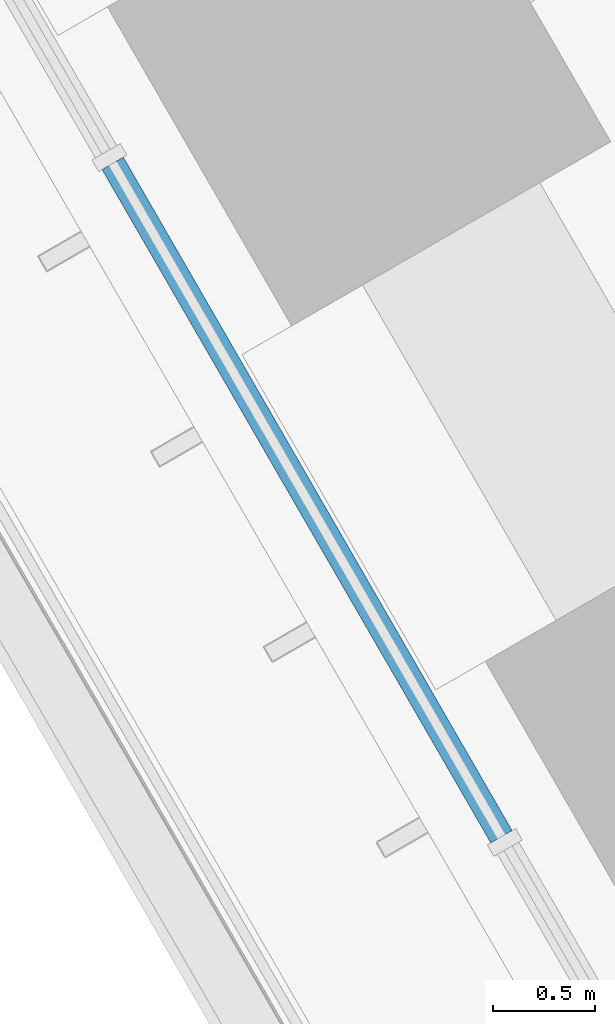
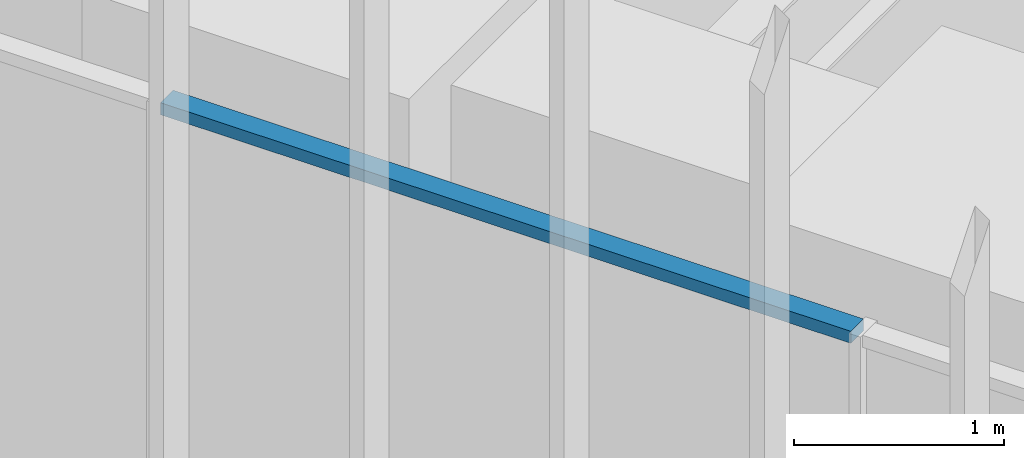
# One storey, part 52 of 228: 1 member, 1 element without a shape of its own.
"""IFC4 building model written with IfcOpenShell, lengths in metres."""

import ifcopenshell
import ifcopenshell.guid

model = None  # the IFC model being written
_history = None  # IfcOwnerHistory: only IFC2X3 demands one
_inside = {}  # id of a spatial element -> (the spatial element, [elements in it])
_under = {}  # id of a project, library or spatial element -> (it, [spatial elements below it])
_declared = {}  # id of a project -> (the project, [libraries it declares])
_typed = {}  # id of a type object -> (the type object, [elements of that type])
_made_of = {}  # id of a material, layer set ... -> (it, [elements and type objects made of it])


def new_model(schema):
    """Start an empty IFC model of exactly this schema.

    Asked for "IFC4X3", IfcOpenShell would pick the latest addendum, in which some entities
    have other attributes; the version numbers below select the first issue.
    IFC2X3 requires an IfcOwnerHistory on every rooted entity: one is made here for all.
    """
    global model, _history
    if schema == "IFC4X3":
        model = ifcopenshell.file(schema_version=(4, 3, 0, 0))
    else:
        model = ifcopenshell.file(schema=schema)
    _inside.clear()
    _under.clear()
    _declared.clear()
    _typed.clear()
    _made_of.clear()
    _history = None
    if model.schema == "IFC2X3":
        org = make("IfcOrganization", Name="unknown")
        user = make(
            "IfcPersonAndOrganization",
            ThePerson=make("IfcPerson", FamilyName="unknown"),
            TheOrganization=org,
        )
        app = make(
            "IfcApplication",
            ApplicationDeveloper=org,
            Version="unknown",
            ApplicationFullName="unknown",
            ApplicationIdentifier="unknown",
        )
        _history = make(
            "IfcOwnerHistory",
            OwningUser=user,
            OwningApplication=app,
            ChangeAction="ADDED",
            CreationDate=0,
        )
    return model


def make(cls, **values):
    """One entity of the class cls with the attributes given. An attribute that is None is left unset."""
    return model.create_entity(
        cls, **{name: value for name, value in values.items() if value is not None}
    )


def rooted(cls, **values):
    """An entity with a GlobalId (a new one), such as an element, a storey or a relation."""
    return make(cls, GlobalId=ifcopenshell.guid.new(), OwnerHistory=_history, **values)


def si_unit(unit_type, name, prefix=None):
    """IfcSIUnit, for example si_unit("LENGTHUNIT", "METRE", prefix="MILLI")."""
    return make("IfcSIUnit", UnitType=unit_type, Prefix=prefix, Name=name)


def assignment(units):
    """IfcUnitAssignment: the units of a project."""
    return None if units is None else make("IfcUnitAssignment", Units=units)


def point(xyz):
    """IfcCartesianPoint."""
    return None if xyz is None else make("IfcCartesianPoint", Coordinates=xyz)


def direction(xyz):
    """IfcDirection."""
    return None if xyz is None else make("IfcDirection", DirectionRatios=xyz)


def frame(location, z_axis=None, x_axis=None):
    """IfcAxis2Placement3D, a coordinate frame: its origin and axes. An axis left out is left unset."""
    return make(
        "IfcAxis2Placement3D",
        Location=point(location),
        Axis=direction(z_axis),
        RefDirection=direction(x_axis),
    )


def frame_2d(location, x_axis=None):
    """IfcAxis2Placement2D, a coordinate frame in the plane: its origin and x axis."""
    return make(
        "IfcAxis2Placement2D", Location=point(location), RefDirection=direction(x_axis)
    )


def origin():
    """The frame at (0, 0, 0) with its axes left unset."""
    return frame((0.0, 0.0, 0.0))


def origin_2d():
    """The frame at (0, 0) in the plane with its x axis left unset."""
    return frame_2d((0.0, 0.0))


def place(relative_to, where):
    """IfcLocalPlacement: puts the frame where relative to a parent placement (None: the world)."""
    return make(
        "IfcLocalPlacement", PlacementRelTo=relative_to, RelativePlacement=where
    )


def context(
    kind, dimensions, precision=None, world=None, true_north=None, identifier=None
):
    """IfcGeometricRepresentationContext, for example the 3D "Model" context."""
    return make(
        "IfcGeometricRepresentationContext",
        ContextIdentifier=identifier,
        ContextType=kind,
        CoordinateSpaceDimension=dimensions,
        Precision=precision,
        WorldCoordinateSystem=world,
        TrueNorth=true_north,
    )


def subcontext(parent, identifier, kind, view, scale=None):
    """IfcGeometricRepresentationSubContext, for example "Body" below "Model"."""
    return make(
        "IfcGeometricRepresentationSubContext",
        ContextIdentifier=identifier,
        ContextType=kind,
        ParentContext=parent,
        TargetScale=scale,
        TargetView=view,
    )


def project(units=None, contexts=None):
    """IfcProject with its units and contexts."""
    return rooted(
        "IfcProject",
        Name="project",
        RepresentationContexts=contexts,
        UnitsInContext=assignment(units),
    )


def spatial(cls, under=None, at=None, **own):
    """A site, building, storey or space (cls), placed at a placement, below another one or the project."""
    s = rooted(cls, ObjectPlacement=at, **own)
    if under is not None:
        _under.setdefault(under.id(), (under, []))[1].append(s)
    return s


def profile(cls, at=None, kind="AREA", **sizes):
    """A parametric profile (cls). Its sizes go by their IFC names, for example OverallWidth=200.0."""
    return make(cls, ProfileType=kind, Position=at, **sizes)


def rectangle(**sizes):
    """IfcRectangleProfileDef."""
    return profile("IfcRectangleProfileDef", **sizes)


def extrude(swept, where, along, depth):
    """IfcExtrudedAreaSolid: the profile swept, set in the frame where, extruded along a direction by depth."""
    return make(
        "IfcExtrudedAreaSolid",
        SweptArea=swept,
        Position=where,
        ExtrudedDirection=direction(along),
        Depth=depth,
    )


def shape(context_of_items, identifier, shape_type, items):
    """IfcShapeRepresentation: the items that make up one representation, for example the "Body"."""
    return make(
        "IfcShapeRepresentation",
        ContextOfItems=context_of_items,
        RepresentationIdentifier=identifier,
        RepresentationType=shape_type,
        Items=items,
    )


def material(Name=None, Category=None):
    """IfcMaterial."""
    return make("IfcMaterial", Name=Name, Category=Category)


def material_profile(
    of_material, cross_section, Name=None, Category=None, Priority=None
):
    """IfcMaterialProfile: a cross section and its material."""
    return make(
        "IfcMaterialProfile",
        Name=Name,
        Material=of_material,
        Profile=cross_section,
        Priority=Priority,
        Category=Category,
    )


def profile_set(profiles, Name=None, composite=None):
    """IfcMaterialProfileSet."""
    return make(
        "IfcMaterialProfileSet",
        Name=Name,
        MaterialProfiles=profiles,
        CompositeProfile=composite,
    )


def made_of(thing, what):
    """Note that an element or type object is made of a material, layer set ...; save() writes the relation."""
    if what is not None:
        _made_of.setdefault(what.id(), (what, []))[1].append(thing)
    return thing


def type_object(cls, material=None, **own):
    """A type object (cls), such as IfcWallType, which elements share."""
    return made_of(rooted(cls, **own), material)


def element(
    cls,
    number,
    at=None,
    inside=None,
    cuts=None,
    type_object=None,
    material=None,
    context=None,
    identifier="Body",
    shape_type=None,
    held_by="IfcProductDefinitionShape",
    body=None,
    shapes=None,
    **own,
):
    """One element of the class cls, such as IfcWall. Its Tag is "e" and its number.

    at: its placement. inside: the storey or other place that contains it. cuts: it is an
    opening in that element (IfcRelVoidsElement). A single representation is given by context,
    identifier, shape_type and body (its items); several are given by shapes. held_by: the class
    of the entity that holds the representations. save() writes the other relations.
    """
    e = rooted(cls, Tag="e%d" % number, ObjectPlacement=at, **own)
    if body is not None:
        shapes = [shape(context, identifier, shape_type, body)]
    if shapes is not None:
        e.Representation = make(held_by, Representations=shapes)
    if inside is not None:
        _inside.setdefault(inside.id(), (inside, []))[1].append(e)
    if cuts is not None:
        rooted(
            "IfcRelVoidsElement", RelatingBuildingElement=cuts, RelatedOpeningElement=e
        )
    if type_object is not None:
        _typed.setdefault(type_object.id(), (type_object, []))[1].append(e)
    return made_of(e, material)


def aggregate(whole, parts):
    """IfcRelAggregates: a whole, such as a stair, and the parts it consists of."""
    return rooted("IfcRelAggregates", RelatingObject=whole, RelatedObjects=parts)


def save(model, path):
    """Write the relations noted so far, then the file.

    IfcRelAggregates (storeys below a building ...), IfcRelContainedInSpatialStructure (elements
    in a storey), IfcRelDefinesByType, IfcRelAssociatesMaterial and IfcRelDeclares: one each for
    every whole, place, type object, material and project.
    """
    for whole, parts in _under.values():
        aggregate(whole, parts)
    for where, things in _inside.values():
        rooted(
            "IfcRelContainedInSpatialStructure",
            RelatedElements=things,
            RelatingStructure=where,
        )
    for kind, things in _typed.values():
        rooted("IfcRelDefinesByType", RelatedObjects=things, RelatingType=kind)
    for what, things in _made_of.values():
        rooted("IfcRelAssociatesMaterial", RelatedObjects=things, RelatingMaterial=what)
    for by, libraries in _declared.values():
        rooted("IfcRelDeclares", RelatingContext=by, RelatedDefinitions=libraries)
    model.write(path)


model = new_model("IFC4")

# Units and contexts
model_context = context("Model", 3, precision=1e-05, world=origin(), true_north=direction((0.0, 1.0)))
body_context = subcontext(model_context, "Body", "Model", "MODEL_VIEW")
ifc_project = project(units=[si_unit("LENGTHUNIT", "METRE"), si_unit("AREAUNIT", "SQUARE_METRE"), si_unit("VOLUMEUNIT", "CUBIC_METRE"), si_unit("PLANEANGLEUNIT", "RADIAN"), si_unit("MASSUNIT", "GRAM", prefix="KILO")], contexts=[model_context])

# Site, building, storey
site_placement = place(None, origin())
site = spatial("IfcSite", under=ifc_project, at=site_placement, CompositionType="ELEMENT")
building_placement = place(site_placement, origin())
building = spatial("IfcBuilding", under=site, at=building_placement, Name="Sandreach Pilgrim Tower", CompositionType="ELEMENT")
storey_placement = place(building_placement, frame((0.0, 0.0, 178.199951171875)))
storey = spatial("IfcBuildingStorey", under=building, at=storey_placement, Name="L44", CompositionType="ELEMENT", Elevation=178.199951171875)

# Curtain wall, member
ifc_material_1 = material(Name="Aluminium framed curtain wall", Category="aluminium")
curtain_wall_type = type_object("IfcCurtainWallType", Name="Upper hotel tower curtain wall", PredefinedType="NOTDEFINED", material=ifc_material_1)
curtain_wall_placement = place(storey_placement, origin())
curtain_wall = element("IfcCurtainWall", 1, at=curtain_wall_placement, inside=storey, type_object=curtain_wall_type, Name="CW-3 L44 SW", PredefinedType="NOTDEFINED")
ifc_material_2 = material(Name="Aluminium extrusion", Category="aluminium")
ifc_material_profile = material_profile(ifc_material_2, rectangle(XDim=0.1201171875, YDim=0.070068359375, at=origin_2d()), Name="CW-3T 120X70")
ifc_profile_set = profile_set([ifc_material_profile], Name="Aluminium extrusion")
member_type = type_object("IfcMemberType", Name="CW-3 transom", PredefinedType="USERDEFINED", material=ifc_profile_set)
member_placement = place(storey_placement, frame((-19.3076171875, -8.878662109375, 4.804931640625), z_axis=(-0.499974606132, 0.866040064445, 0.0), x_axis=(-0.866040064445, -0.499974606132, 0.0)))
member = element("IfcMember", 2, at=member_placement, type_object=member_type, Name="CW-3 head transom 6", ObjectType="TRANSOM", PredefinedType="USERDEFINED", context=body_context, shape_type="SweptSolid", body=[
    extrude(rectangle(XDim=0.1201171875, YDim=0.070068359375, at=origin_2d()), origin(), (0.0, 0.0, 1.0), 3.799560546875),
])
aggregate(curtain_wall, [member])

save(model, "model.ifc")
